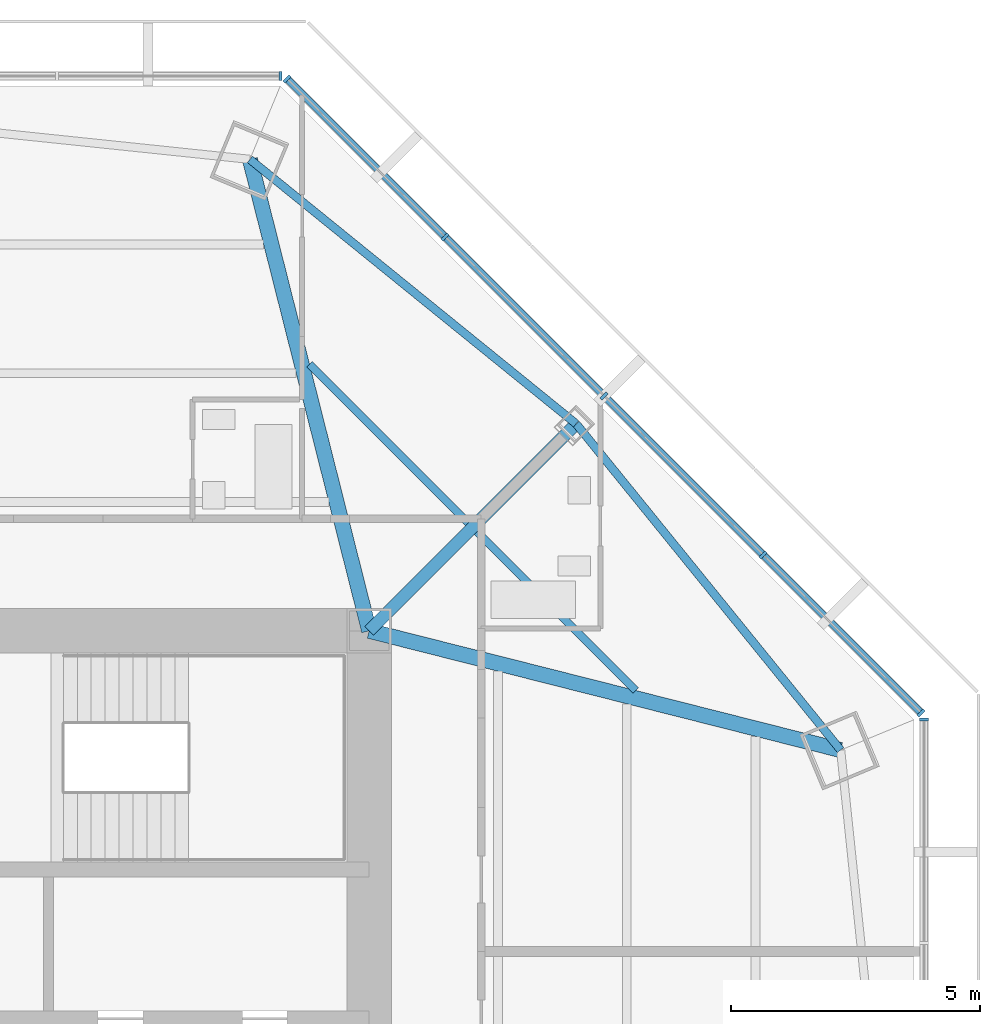
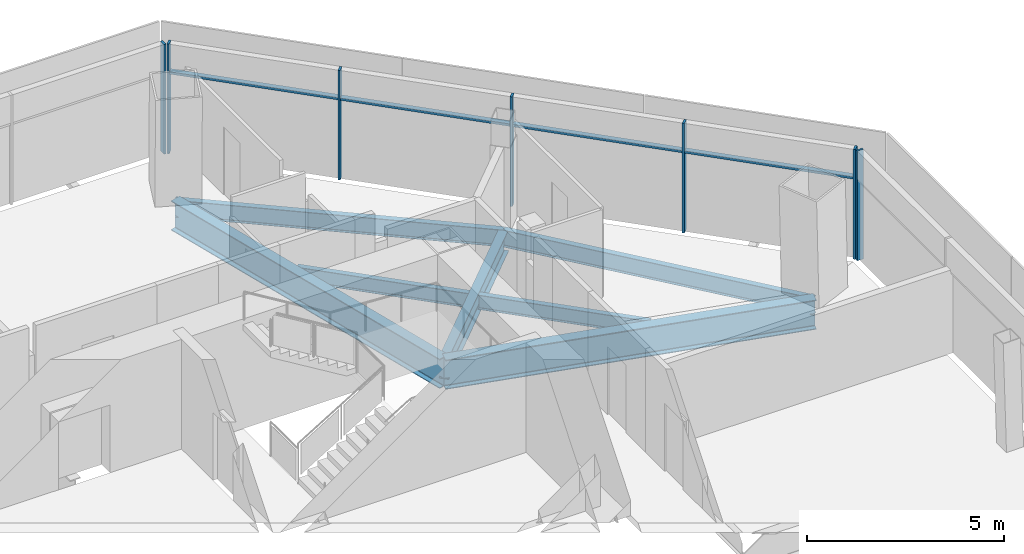
# One storey, part 6 of 15: 11 members, 7 beams, 3 elements without a shape of their own.
"""IFC4 building model written with IfcOpenShell, lengths in metres."""

from ifc_helpers import new_model, si_unit, direction, frame, origin, origin_2d, place, context, subcontext, project, spatial, rectangle, i_section, extrude, source, transform, mapped, material, material_profile, profile_set, type_object, type_shapes, element, aggregate, save


model = new_model("IFC4")

# Units and contexts
model_context = context("Model", 3, precision=1e-05, world=origin(), true_north=direction((0.0, 1.0)))
body_context = subcontext(model_context, "Body", "Model", "MODEL_VIEW")
ifc_project = project(units=[si_unit("LENGTHUNIT", "METRE"), si_unit("AREAUNIT", "SQUARE_METRE"), si_unit("VOLUMEUNIT", "CUBIC_METRE"), si_unit("PLANEANGLEUNIT", "RADIAN"), si_unit("MASSUNIT", "GRAM", prefix="KILO")], contexts=[model_context])

# Site, building, storey
site_placement = place(None, origin())
site = spatial("IfcSite", under=ifc_project, at=site_placement, CompositionType="ELEMENT")
building_placement = place(site_placement, origin())
building = spatial("IfcBuilding", under=site, at=building_placement, Name="Mashrafa Tower", CompositionType="ELEMENT")
storey_placement = place(building_placement, frame((0.0, 0.0, 214.199951171875)))
storey = spatial("IfcBuildingStorey", under=building, at=storey_placement, Name="L49", CompositionType="ELEMENT", Elevation=214.199951171875)

# Beams
ifc_material_1 = material(Name="Steel ASTM A992", Category="steel")
ifc_material_profile_1 = material_profile(ifc_material_1, i_section(OverallWidth=0.15234375, OverallDepth=0.449462890625, WebThickness=0.007568359375, FlangeThickness=0.0107421875, FilletRadius=0.01025390625, at=origin_2d()), Name="W18X35")
ifc_profile_set_1 = profile_set([ifc_material_profile_1], Name="Steel ASTM A992")
beam_type_1 = type_object("IfcBeamType", Name="Beam W18X35", PredefinedType="BEAM", material=ifc_profile_set_1)
for number, where, z_axis, x_axis, name in (
    (1, (9.600830078125, 16.162353515625, -0.4248046875), (0.707106781187, -0.707106781187, 0.0), (0.707106781187, 0.707106781187, 0.0), "Floor beam L49 021"),
    (2, (12.971435546875, 12.791748046875, -0.4248046875), (0.707106781187, -0.707106781187, 0.0), (0.707106781187, 0.707106781187, 0.0), "Floor beam L49 025"),
):
    element("IfcBeam", number, at=place(storey_placement, frame(where, z_axis=z_axis, x_axis=x_axis)), inside=storey, type_object=beam_type_1, Name=name, PredefinedType="BEAM", context=body_context, shape_type="SweptSolid", body=[
        extrude(i_section(OverallWidth=0.15234375, OverallDepth=0.449462890625, WebThickness=0.007568359375, FlangeThickness=0.0107421875, FilletRadius=0.01025390625, at=origin_2d()), origin(), (0.0, 0.0, 1.0), 4.5126953125),
    ])
ifc_material_2 = material(Name="Steel ASTM A992", Category="steel")
ifc_material_profile_2 = material_profile(ifc_material_2, i_section(OverallWidth=0.1650390625, OverallDepth=0.52587890625, WebThickness=0.0087890625, FlangeThickness=0.011474609375, FilletRadius=0.0126953125, at=origin_2d()), Name="W21X44")
ifc_profile_set_2 = profile_set([ifc_material_profile_2], Name="Steel ASTM A992")
beam_type_2 = type_object("IfcBeamType", Name="Beam W21X44", PredefinedType="BEAM", material=ifc_profile_set_2)
for number, where, z_axis, x_axis, name in (
    (3, (14.963134765625, 14.963134765625, -0.462890625), (-0.776800456415, 0.629746814929, 0.0), (-0.629746814929, -0.776800456415, 0.0), "Spandrel beam L49 061"),
    (4, (20.28271484375, 8.4013671875, -0.462890625), (-0.629746814929, 0.776800456415, 0.0), (-0.776800456415, -0.629746814929, 0.0), "Spandrel beam L49 063"),
):
    element("IfcBeam", number, at=place(storey_placement, frame(where, z_axis=z_axis, x_axis=x_axis)), inside=storey, type_object=beam_type_2, Name=name, PredefinedType="BEAM", context=body_context, shape_type="SweptSolid", body=[
        extrude(i_section(OverallWidth=0.1650390625, OverallDepth=0.52587890625, WebThickness=0.0087890625, FlangeThickness=0.011474609375, FilletRadius=0.0126953125, at=origin_2d()), origin(), (0.0, 0.0, 1.0), 8.447265625),
    ])
ifc_material_3 = material(Name="Steel ASTM A992", Category="steel")
ifc_material_profile_3 = material_profile(ifc_material_3, i_section(OverallWidth=0.25390625, OverallDepth=0.67822265625, WebThickness=0.01171875, FlangeThickness=0.016357421875, FilletRadius=0.01513671875, at=origin_2d()), Name="W27X84")
ifc_profile_set_3 = profile_set([ifc_material_profile_3], Name="Steel ASTM A992")
beam_type_3 = type_object("IfcBeamType", Name="Beam W27X84", PredefinedType="BEAM", material=ifc_profile_set_3)
beam_placement = place(storey_placement, frame((10.800048828125, 10.800048828125, -0.5390625), z_axis=(0.707106781187, 0.707106781187, 0.0), x_axis=(-0.707106781187, 0.707106781187, 0.0)))
element("IfcBeam", 5, at=beam_placement, inside=storey, type_object=beam_type_3, Name="Radial girder L49 047", PredefinedType="BEAM", context=body_context, shape_type="SweptSolid", body=[
    extrude(i_section(OverallWidth=0.25390625, OverallDepth=0.67822265625, WebThickness=0.01171875, FlangeThickness=0.016357421875, FilletRadius=0.01513671875, at=origin_2d()), origin(), (0.0, 0.0, 1.0), 5.887451171875),
])
ifc_material_4 = material(Name="Steel ASTM A992", Category="steel")
ifc_material_profile_4 = material_profile(ifc_material_4, i_section(OverallWidth=0.3046875, OverallDepth=0.911865234375, WebThickness=0.015869140625, FlangeThickness=0.02392578125, FilletRadius=0.01904296875, at=origin_2d()), Name="W36X150")
ifc_profile_set_4 = profile_set([ifc_material_profile_4], Name="Steel ASTM A992")
beam_type_4 = type_object("IfcBeamType", Name="Beam W36X150", PredefinedType="BEAM", material=ifc_profile_set_4)
for number, where, z_axis, x_axis, name in (
    (6, (10.800048828125, 10.800048828125, -0.65576171875), (-0.245230350625, 0.969464839554, 0.0), (-0.969464839554, -0.245230350625, 0.0), "Radial girder L49 046"),
    (7, (10.800048828125, 10.800048828125, -0.65576171875), (0.969464839554, -0.245230350625, 0.0), (0.245230350625, 0.969464839554, 0.0), "Radial girder L49 048"),
):
    element("IfcBeam", number, at=place(storey_placement, frame(where, z_axis=z_axis, x_axis=x_axis)), inside=storey, type_object=beam_type_4, Name=name, PredefinedType="BEAM", context=body_context, shape_type="SweptSolid", body=[
        extrude(i_section(OverallWidth=0.3046875, OverallDepth=0.911865234375, WebThickness=0.015869140625, FlangeThickness=0.02392578125, FilletRadius=0.01904296875, at=origin_2d()), origin(), (0.0, 0.0, 1.0), 9.78125),
    ])

# Curtain wall, member
ifc_material_5 = material(Name="Unitised aluminium curtain wall", Category="aluminium")
curtain_wall_type = type_object("IfcCurtainWallType", Name="Apartment curtain wall, zone 3 CW-C 180 deep", PredefinedType="NOTDEFINED", material=ifc_material_5)
curtain_wall_1_placement = place(storey_placement, origin())
curtain_wall_1 = element("IfcCurtainWall", 8, at=curtain_wall_1_placement, inside=storey, type_object=curtain_wall_type, Name="Apartment curtain wall, zone 3 L49 east", PredefinedType="NOTDEFINED")
ifc_material_6 = material(Name="Extruded aluminium mullion", Category="aluminium")
ifc_material_profile_5 = material_profile(ifc_material_6, rectangle(XDim=0.179931640625, YDim=0.06005859375, at=origin_2d()), Name="Mullion 60x180")
ifc_profile_set_5 = profile_set([ifc_material_profile_5], Name="Extruded aluminium mullion")
member_type_1 = type_object("IfcMemberType", Name="Mullion CW-C 60 x 180", PredefinedType="MULLION", material=ifc_profile_set_5)
shared_shape_1 = source(origin(), body_context, "Body", "SweptSolid", [
    extrude(rectangle(XDim=0.179931640625, YDim=0.06005859375, at=origin_2d()), origin(), (0.0, 0.0, 1.0), 3.400146484375),
])
type_shapes(member_type_1, [shared_shape_1])
member_1_placement = place(storey_placement, frame((21.955322265625, 9.016845703125, 0.0), z_axis=(0.0, 0.0, 1.0), x_axis=(-1.0, 0.0, 0.0)))
member_1 = element("IfcMember", 9, at=member_1_placement, type_object=member_type_1, Name="CW-C mullion 5", PredefinedType="MULLION", context=body_context, shape_type="MappedRepresentation", body=[
    mapped(shared_shape_1, transform((0.0, 0.0, 0.0))),
])
aggregate(curtain_wall_1, [member_1])

# Curtain wall, members
curtain_wall_2_placement = place(storey_placement, origin())
curtain_wall_2 = element("IfcCurtainWall", 10, at=curtain_wall_2_placement, inside=storey, type_object=curtain_wall_type, Name="Apartment curtain wall, zone 3 L49 north-east", PredefinedType="NOTDEFINED")
member_2_placement = place(storey_placement, frame((21.900634765625, 9.14892578125, 0.0), z_axis=(0.0, 0.0, 1.0), x_axis=(-0.707106781187, -0.707106781187, 0.0)))
member_2 = element("IfcMember", 11, at=member_2_placement, type_object=member_type_1, Name="CW-C mullion 1", PredefinedType="MULLION", context=body_context, shape_type="MappedRepresentation", body=[
    mapped(shared_shape_1, transform((0.0, 0.0, 0.0))),
])
member_3_placement = place(storey_placement, frame((18.723388671875, 12.326171875, 0.0), z_axis=(0.0, 0.0, 1.0), x_axis=(-0.707106781187, -0.707106781187, 0.0)))
member_3 = element("IfcMember", 12, at=member_3_placement, type_object=member_type_1, Name="CW-C mullion 2", PredefinedType="MULLION", context=body_context, shape_type="MappedRepresentation", body=[
    mapped(shared_shape_1, transform((0.0, 0.0, 0.0))),
])
member_4_placement = place(storey_placement, frame((15.524658203125, 15.524658203125, 0.0), z_axis=(0.0, 0.0, 1.0), x_axis=(-0.707106781187, -0.707106781187, 0.0)))
member_4 = element("IfcMember", 13, at=member_4_placement, type_object=member_type_1, Name="CW-C mullion 3", PredefinedType="MULLION", context=body_context, shape_type="MappedRepresentation", body=[
    mapped(shared_shape_1, transform((0.0, 0.0, 0.0))),
])
member_5_placement = place(storey_placement, frame((12.326171875, 18.723388671875, 0.0), z_axis=(0.0, 0.0, 1.0), x_axis=(-0.707106781187, -0.707106781187, 0.0)))
member_5 = element("IfcMember", 14, at=member_5_placement, type_object=member_type_1, Name="CW-C mullion 4", PredefinedType="MULLION", context=body_context, shape_type="MappedRepresentation", body=[
    mapped(shared_shape_1, transform((0.0, 0.0, 0.0))),
])
member_6_placement = place(storey_placement, frame((9.14892578125, 21.900634765625, 0.0), z_axis=(0.0, 0.0, 1.0), x_axis=(-0.707106781187, -0.707106781187, 0.0)))
member_6 = element("IfcMember", 15, at=member_6_placement, type_object=member_type_1, Name="CW-C mullion 5", PredefinedType="MULLION", context=body_context, shape_type="MappedRepresentation", body=[
    mapped(shared_shape_1, transform((0.0, 0.0, 0.0))),
])

# Curtain wall, member
curtain_wall_3_placement = place(storey_placement, origin())
curtain_wall_3 = element("IfcCurtainWall", 16, at=curtain_wall_3_placement, inside=storey, type_object=curtain_wall_type, Name="Apartment curtain wall, zone 3 L49 north", PredefinedType="NOTDEFINED")
member_7_placement = place(storey_placement, frame((9.016845703125, 21.955322265625, 0.0), z_axis=(0.0, 0.0, 1.0), x_axis=(0.0, -1.0, 0.0)))
member_7 = element("IfcMember", 17, at=member_7_placement, type_object=member_type_1, Name="CW-C mullion 1", PredefinedType="MULLION", context=body_context, shape_type="MappedRepresentation", body=[
    mapped(shared_shape_1, transform((0.0, 0.0, 0.0))),
])
aggregate(curtain_wall_3, [member_7])

# Member
ifc_material_7 = material(Name="Extruded aluminium transom", Category="aluminium")
ifc_material_profile_6 = material_profile(ifc_material_7, rectangle(XDim=0.14404296875, YDim=0.074951171875, at=origin_2d()), Name="Transom 75x144")
ifc_profile_set_6 = profile_set([ifc_material_profile_6], Name="Extruded aluminium transom")
member_type_2 = type_object("IfcMemberType", Name="Transom CW-C 75 x 144", PredefinedType="MULLION", material=ifc_profile_set_6)
shared_shape_2 = source(origin(), body_context, "Body", "SweptSolid", [
    extrude(rectangle(XDim=0.14404296875, YDim=0.074951171875, at=origin_2d()), origin(), (0.0, 0.0, 1.0), 4.433349609375),
])
member_8_placement = place(storey_placement, frame((21.87939453125, 9.169921875, 2.5), z_axis=(-0.707079246412, 0.707134314889, 0.0), x_axis=(-0.707134314889, -0.707079246412, 0.0)))
member_8 = element("IfcMember", 18, at=member_8_placement, type_object=member_type_2, Name="CW-C transom 1", PredefinedType="MULLION", context=body_context, shape_type="MappedRepresentation", body=[
    mapped(shared_shape_2, transform((0.0, 0.0, 0.0))),
])

member_9_placement = place(storey_placement, frame((12.304931640625, 18.74462890625, 2.5), z_axis=(-0.707134314889, 0.707079246412, 0.0), x_axis=(-0.707079246412, -0.707134314889, 0.0)))
member_9 = element("IfcMember", 19, at=member_9_placement, type_object=member_type_2, Name="CW-C transom 4", PredefinedType="MULLION", context=body_context, shape_type="MappedRepresentation", body=[
    mapped(shared_shape_2, transform((0.0, 0.0, 0.0))),
])

shared_shape_3 = source(origin(), body_context, "Body", "SweptSolid", [
    extrude(rectangle(XDim=0.14404296875, YDim=0.074951171875, at=origin_2d()), origin(), (0.0, 0.0, 1.0), 4.46337890625),
])
type_shapes(member_type_2, [shared_shape_2, shared_shape_3])
member_10_placement = place(storey_placement, frame((18.7021484375, 12.347412109375, 2.5), z_axis=(-0.707134129595, 0.70707943172, 0.0), x_axis=(-0.70707943172, -0.707134129595, 0.0)))
member_10 = element("IfcMember", 20, at=member_10_placement, type_object=member_type_2, Name="CW-C transom 2", PredefinedType="MULLION", context=body_context, shape_type="MappedRepresentation", body=[
    mapped(shared_shape_3, transform((0.0, 0.0, 0.0))),
])

member_11_placement = place(storey_placement, frame((15.50341796875, 15.5458984375, 2.5), z_axis=(-0.70707943172, 0.707134129595, 0.0), x_axis=(-0.707134129595, -0.70707943172, 0.0)))
member_11 = element("IfcMember", 21, at=member_11_placement, type_object=member_type_2, Name="CW-C transom 3", PredefinedType="MULLION", context=body_context, shape_type="MappedRepresentation", body=[
    mapped(shared_shape_3, transform((0.0, 0.0, 0.0))),
])

aggregate(curtain_wall_2, [member_2, member_3, member_4, member_5, member_6, member_8, member_10, member_11, member_9])

save(model, "model.ifc")
